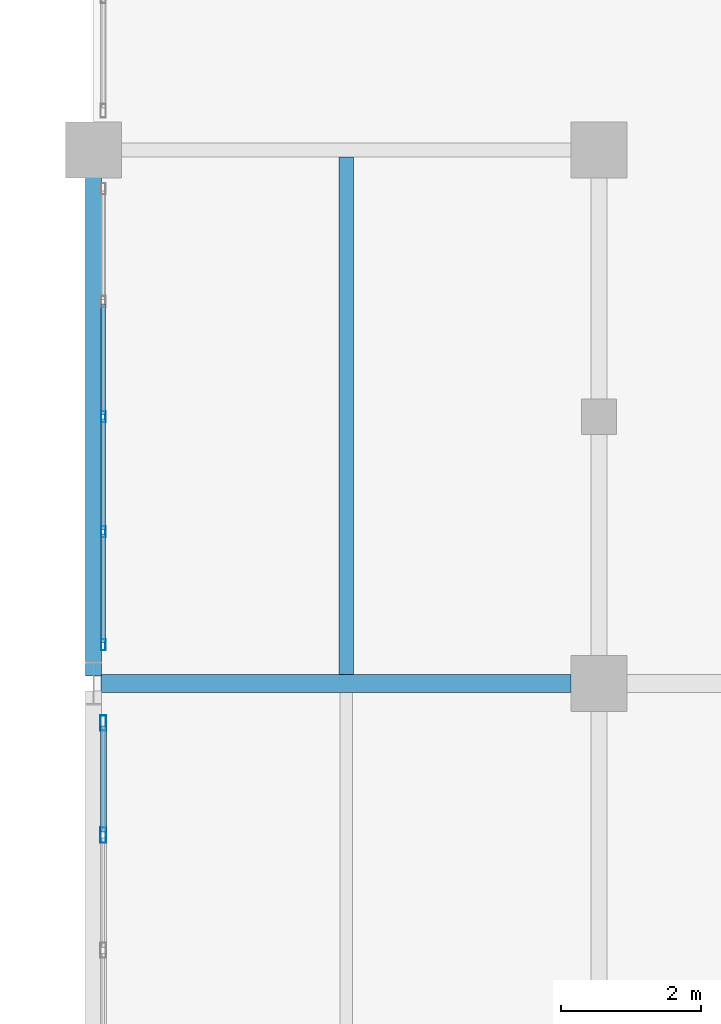
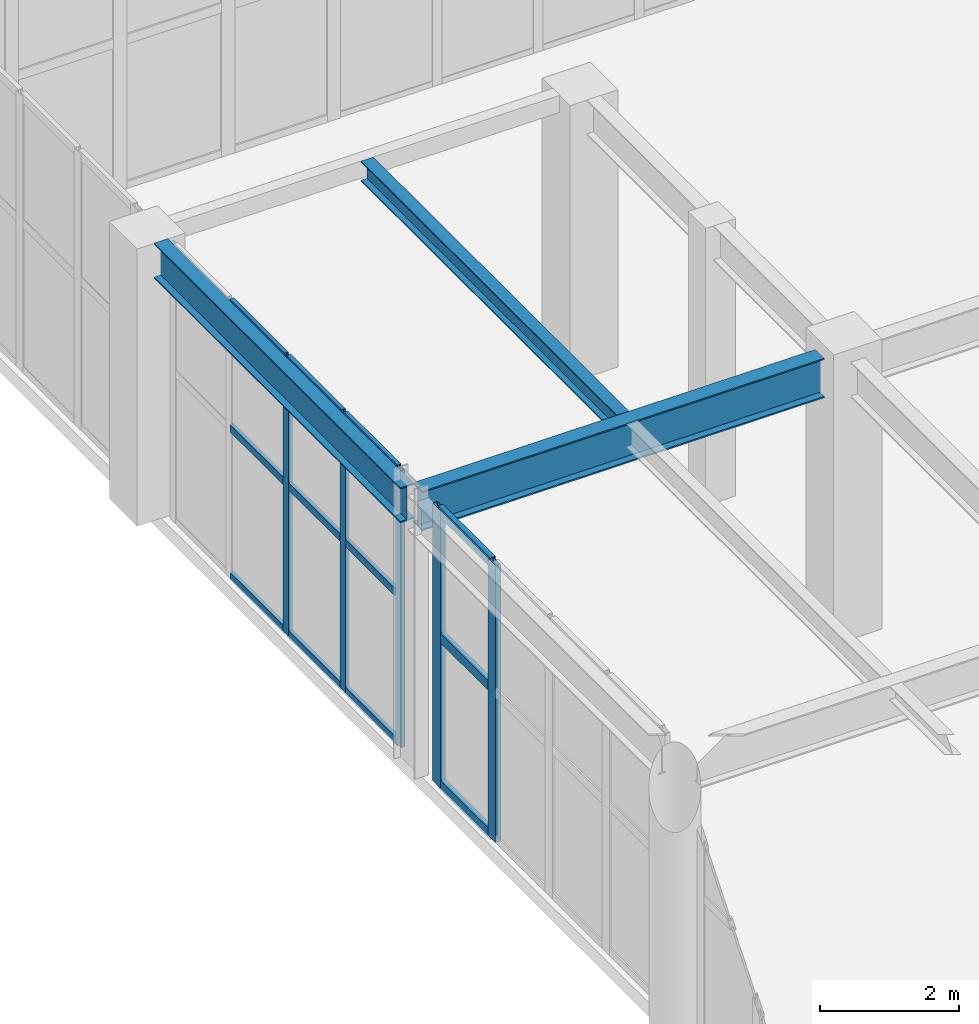
# One storey, part 53 of 128: 17 members, 3 beams, 2 elements without a shape of their own.
"""IFC4 building model written with IfcOpenShell, lengths in metres."""

from ifc_helpers import new_model, si_unit, direction, frame, origin, origin_2d, place, context, subcontext, project, spatial, hollow_rectangle, i_section, extrude, material, layer, layer_set, material_profile, profile_set, type_object, element, aggregate, save


model = new_model("IFC4")

# Units and contexts
model_context = context("Model", 3, precision=1e-05, world=origin(), true_north=direction((0.0, 1.0)))
body_context = subcontext(model_context, "Body", "Model", "MODEL_VIEW")
ifc_project = project(units=[si_unit("LENGTHUNIT", "METRE"), si_unit("AREAUNIT", "SQUARE_METRE"), si_unit("VOLUMEUNIT", "CUBIC_METRE"), si_unit("PLANEANGLEUNIT", "RADIAN"), si_unit("MASSUNIT", "GRAM", prefix="KILO")], contexts=[model_context])

# Site, building, storey
site_placement = place(None, origin())
site = spatial("IfcSite", under=ifc_project, at=site_placement, CompositionType="ELEMENT")
building_placement = place(site_placement, origin())
building = spatial("IfcBuilding", under=site, at=building_placement, Name="Xicomal Pleat Aquarium", CompositionType="ELEMENT")
storey_placement = place(building_placement, frame((0.0, 0.0, 5.39990234375)))
storey = spatial("IfcBuildingStorey", under=building, at=storey_placement, Name="L02", CompositionType="ELEMENT", Elevation=5.39990234375)

# Beams
ifc_material_1 = material(Name="Structural steel A992 Gr 50", Category="steel")
ifc_material_profile_1 = material_profile(ifc_material_1, i_section(OverallWidth=0.205078125, OverallDepth=0.35400390625, WebThickness=0.009521484375, FlangeThickness=0.016845703125, at=origin_2d()), Name="IR 360x79")
ifc_profile_set_1 = profile_set([ifc_material_profile_1], Name="Structural steel A992 Gr 50")
beam_type_1 = type_object("IfcBeamType", Name="BM-STL-IR360", PredefinedType="JOIST", material=ifc_profile_set_1)
beam_1_placement = place(storey_placement, frame((6.60009765625, 83.73095703125, 4.697998046875), z_axis=(0.0, 1.0, 0.0), x_axis=(-1.0, 0.0, 0.0)))
element("IfcBeam", 1, at=beam_1_placement, inside=storey, type_object=beam_type_1, Name="L02 framing beam FBJ-L02-01-M-1", PredefinedType="JOIST", context=body_context, shape_type="SweptSolid", body=[
    extrude(i_section(OverallWidth=0.205078125, OverallDepth=0.35400390625, WebThickness=0.009521484375, FlangeThickness=0.016845703125, at=origin_2d()), origin(), (0.0, 0.0, 1.0), 7.365966796875),
])
ifc_material_2 = material(Name="Structural steel A992 Gr 50", Category="steel")
ifc_material_profile_2 = material_profile(ifc_material_2, i_section(OverallWidth=0.22998046875, OverallDepth=0.616943359375, WebThickness=0.01318359375, FlangeThickness=0.022216796875, at=origin_2d()), Name="IR 610x140")
ifc_profile_set_2 = profile_set([ifc_material_profile_2], Name="Structural steel A992 Gr 50")
beam_type_2 = type_object("IfcBeamType", Name="BM-STL-IR610", PredefinedType="BEAM", material=ifc_profile_set_2)
beam_2_placement = place(storey_placement, frame((3.0, 83.7099609375, 4.566650390625), z_axis=(0.0, 1.0, 0.0), x_axis=(-1.0, 0.0, 0.0)))
element("IfcBeam", 2, at=beam_2_placement, inside=storey, type_object=beam_type_2, Name="L02 framing beam FGY-L02-01-M-N", PredefinedType="BEAM", context=body_context, shape_type="SweptSolid", body=[
    extrude(i_section(OverallWidth=0.22998046875, OverallDepth=0.616943359375, WebThickness=0.01318359375, FlangeThickness=0.022216796875, at=origin_2d()), origin(), (0.0, 0.0, 1.0), 7.094970703125),
])
ifc_material_3 = material(Name="Structural steel A992 Gr 50", Category="steel")
ifc_material_profile_3 = material_profile(ifc_material_3, i_section(OverallWidth=0.256103515625, OverallDepth=0.693115234375, WebThickness=0.014404296875, FlangeThickness=0.023681640625, at=origin_2d()), Name="IR 690x170")
ifc_profile_set_3 = profile_set([ifc_material_profile_3], Name="Structural steel A992 Gr 50")
beam_type_3 = type_object("IfcBeamType", Name="BM-STL-IR690", PredefinedType="BEAM", material=ifc_profile_set_3)
beam_3_placement = place(storey_placement, frame((3.110107421875, 83.60009765625, 4.528564453125), z_axis=(1.0, 0.0, 0.0), x_axis=(0.0, 1.0, 0.0)))
element("IfcBeam", 3, at=beam_3_placement, inside=storey, type_object=beam_type_3, Name="L02 framing beam FGX-L02-01-02-M", PredefinedType="BEAM", context=body_context, shape_type="SweptSolid", body=[
    extrude(i_section(OverallWidth=0.256103515625, OverallDepth=0.693115234375, WebThickness=0.014404296875, FlangeThickness=0.023681640625, at=origin_2d()), origin(), (0.0, 0.0, 1.0), 6.69482421875),
])

# Curtain wall, members
ifc_material_4 = material(Name="Bronze anodized aluminium 6063-T6", Category="aluminium")
ifc_layer_1 = layer(ifc_material_4, 0.159912109375)
ifc_layer_set_1 = layer_set([ifc_layer_1], Name="Bronze anodized aluminium 6063-T6")
curtain_wall_type_1 = type_object("IfcCurtainWallType", Name="CW-SYS-02", PredefinedType="NOTDEFINED", material=ifc_layer_set_1)
curtain_wall_1_placement = place(storey_placement, origin())
curtain_wall_1 = element("IfcCurtainWall", 4, at=curtain_wall_1_placement, inside=storey, type_object=curtain_wall_type_1, Name="L02 unitised curtain wall CW-L02-126", PredefinedType="NOTDEFINED")
ifc_material_5 = material(Name="Bronze anodized aluminium 6063-T6", Category="aluminium")
ifc_material_profile_4 = material_profile(ifc_material_5, hollow_rectangle(XDim=0.06494140625, YDim=0.159912109375, WallThickness=0.00390625, at=origin_2d()), Name="ALU MULL 65x160")
ifc_profile_set_4 = profile_set([ifc_material_profile_4], Name="Bronze anodized aluminium 6063-T6")
member_type_1 = type_object("IfcMemberType", Name="CWM-65x160", PredefinedType="MULLION", material=ifc_profile_set_4)
member_1_placement = place(storey_placement, frame((3.139892578125, 84.152587890625, 0.0), z_axis=(0.0, 0.0, 1.0), x_axis=(-1.0, 0.0, 0.0)))
member_1 = element("IfcMember", 5, at=member_1_placement, type_object=member_type_1, Name="CW-02 mullion 1", PredefinedType="MULLION", context=body_context, shape_type="SweptSolid", body=[
    extrude(hollow_rectangle(XDim=0.06494140625, YDim=0.159912109375, WallThickness=0.00390625, at=origin_2d()), origin(), (0.0, 0.0, 1.0), 4.875),
])
member_2_placement = place(storey_placement, frame((3.139892578125, 85.760009765625, 0.0), z_axis=(0.0, 0.0, 1.0), x_axis=(-1.0, 0.0, 0.0)))
member_2 = element("IfcMember", 6, at=member_2_placement, type_object=member_type_1, Name="CW-02 mullion 2", PredefinedType="MULLION", context=body_context, shape_type="SweptSolid", body=[
    extrude(hollow_rectangle(XDim=0.06494140625, YDim=0.159912109375, WallThickness=0.00390625, at=origin_2d()), origin(), (0.0, 0.0, 1.0), 4.875),
])
member_3_placement = place(storey_placement, frame((3.139892578125, 87.39990234375, 0.0), z_axis=(0.0, 0.0, 1.0), x_axis=(-1.0, 0.0, 0.0)))
member_3 = element("IfcMember", 7, at=member_3_placement, type_object=member_type_1, Name="CW-02 mullion 3", PredefinedType="MULLION", context=body_context, shape_type="SweptSolid", body=[
    extrude(hollow_rectangle(XDim=0.06494140625, YDim=0.159912109375, WallThickness=0.00390625, at=origin_2d()), origin(), (0.0, 0.0, 1.0), 4.875),
])

ifc_material_6 = material(Name="Bronze anodized aluminium 6063-T6", Category="aluminium")
ifc_layer_2 = layer(ifc_material_6, 0.159912109375)
ifc_layer_set_2 = layer_set([ifc_layer_2], Name="Bronze anodized aluminium 6063-T6")
curtain_wall_type_2 = type_object("IfcCurtainWallType", Name="CW-SYS-12", PredefinedType="NOTDEFINED", material=ifc_layer_set_2)
curtain_wall_2_placement = place(storey_placement, origin())
curtain_wall_2 = element("IfcCurtainWall", 8, at=curtain_wall_2_placement, inside=storey, type_object=curtain_wall_type_2, Name="L02 unitised curtain wall CW-L02-125", PredefinedType="NOTDEFINED")
ifc_material_7 = material(Name="Bronze anodized aluminium 6063-T6", Category="aluminium")
ifc_material_profile_5 = material_profile(ifc_material_7, hollow_rectangle(XDim=0.0849609375, YDim=0.219970703125, WallThickness=0.0048828125, at=origin_2d()), Name="ALU MULL 85x220")
ifc_profile_set_5 = profile_set([ifc_material_profile_5], Name="Bronze anodized aluminium 6063-T6")
member_type_2 = type_object("IfcMemberType", Name="CWM-85x220", PredefinedType="MULLION", material=ifc_profile_set_5)
member_4_placement = place(storey_placement, frame((3.139892578125, 81.43994140625, 0.0), z_axis=(0.0, 0.0, 1.0), x_axis=(-1.0, 0.0, 0.0)))
member_4 = element("IfcMember", 9, at=member_4_placement, type_object=member_type_2, Name="CW-12 mullion 4", PredefinedType="MULLION", context=body_context, shape_type="SweptSolid", body=[
    extrude(hollow_rectangle(XDim=0.0849609375, YDim=0.219970703125, WallThickness=0.0048828125, at=origin_2d()), origin(), (0.0, 0.0, 1.0), 4.875),
])
member_5_placement = place(storey_placement, frame((3.139892578125, 83.03759765625, 0.0), z_axis=(0.0, 0.0, 1.0), x_axis=(-1.0, 0.0, 0.0)))
member_5 = element("IfcMember", 10, at=member_5_placement, type_object=member_type_2, Name="CW-12 mullion 5", PredefinedType="MULLION", context=body_context, shape_type="SweptSolid", body=[
    extrude(hollow_rectangle(XDim=0.0849609375, YDim=0.219970703125, WallThickness=0.0048828125, at=origin_2d()), origin(), (0.0, 0.0, 1.0), 4.875),
])

# Member
ifc_material_8 = material(Name="Bronze anodized aluminium 6063-T6", Category="aluminium")
ifc_material_profile_6 = material_profile(ifc_material_8, hollow_rectangle(XDim=0.06494140625, YDim=0.1298828125, WallThickness=0.00390625, at=origin_2d()), Name="ALU TRAN 65x130")
ifc_profile_set_6 = profile_set([ifc_material_profile_6], Name="Bronze anodized aluminium 6063-T6")
member_type_3 = type_object("IfcMemberType", Name="CWT-65x130", PredefinedType="USERDEFINED", material=ifc_profile_set_6)
member_6_placement = place(storey_placement, frame((3.139892578125, 84.18505859375, 0.03271484375), z_axis=(0.0, 1.0, 0.0), x_axis=(-1.0, 0.0, 0.0)))
member_6 = element("IfcMember", 11, at=member_6_placement, type_object=member_type_3, Name="CW-02 transom 1.1", ObjectType="TRANSOM", PredefinedType="USERDEFINED", context=body_context, shape_type="SweptSolid", body=[
    extrude(hollow_rectangle(XDim=0.06494140625, YDim=0.1298828125, WallThickness=0.00390625, at=origin_2d()), origin(), (0.0, 0.0, 1.0), 1.54248046875),
])

member_7_placement = place(storey_placement, frame((3.139892578125, 84.18505859375, 2.633056640625), z_axis=(0.0, 1.0, 0.0), x_axis=(-1.0, 0.0, 0.0)))
member_7 = element("IfcMember", 12, at=member_7_placement, type_object=member_type_3, Name="CW-02 transom 1.2", ObjectType="TRANSOM", PredefinedType="USERDEFINED", context=body_context, shape_type="SweptSolid", body=[
    extrude(hollow_rectangle(XDim=0.06494140625, YDim=0.1298828125, WallThickness=0.00390625, at=origin_2d()), origin(), (0.0, 0.0, 1.0), 1.54248046875),
])

member_8_placement = place(storey_placement, frame((3.139892578125, 84.18505859375, 4.842529296875), z_axis=(0.0, 1.0, 0.0), x_axis=(-1.0, 0.0, 0.0)))
member_8 = element("IfcMember", 13, at=member_8_placement, type_object=member_type_3, Name="CW-02 transom 1.3", ObjectType="TRANSOM", PredefinedType="USERDEFINED", context=body_context, shape_type="SweptSolid", body=[
    extrude(hollow_rectangle(XDim=0.06494140625, YDim=0.1298828125, WallThickness=0.00390625, at=origin_2d()), origin(), (0.0, 0.0, 1.0), 1.54248046875),
])

member_9_placement = place(storey_placement, frame((3.139892578125, 85.79248046875, 0.03271484375), z_axis=(0.0, 1.0, 0.0), x_axis=(-1.0, 0.0, 0.0)))
member_9 = element("IfcMember", 14, at=member_9_placement, type_object=member_type_3, Name="CW-02 transom 2.1", ObjectType="TRANSOM", PredefinedType="USERDEFINED", context=body_context, shape_type="SweptSolid", body=[
    extrude(hollow_rectangle(XDim=0.06494140625, YDim=0.1298828125, WallThickness=0.00390625, at=origin_2d()), origin(), (0.0, 0.0, 1.0), 1.574951171875),
])

member_10_placement = place(storey_placement, frame((3.139892578125, 85.79248046875, 2.633056640625), z_axis=(0.0, 1.0, 0.0), x_axis=(-1.0, 0.0, 0.0)))
member_10 = element("IfcMember", 15, at=member_10_placement, type_object=member_type_3, Name="CW-02 transom 2.2", ObjectType="TRANSOM", PredefinedType="USERDEFINED", context=body_context, shape_type="SweptSolid", body=[
    extrude(hollow_rectangle(XDim=0.06494140625, YDim=0.1298828125, WallThickness=0.00390625, at=origin_2d()), origin(), (0.0, 0.0, 1.0), 1.574951171875),
])

member_11_placement = place(storey_placement, frame((3.139892578125, 85.79248046875, 4.842529296875), z_axis=(0.0, 1.0, 0.0), x_axis=(-1.0, 0.0, 0.0)))
member_11 = element("IfcMember", 16, at=member_11_placement, type_object=member_type_3, Name="CW-02 transom 2.3", ObjectType="TRANSOM", PredefinedType="USERDEFINED", context=body_context, shape_type="SweptSolid", body=[
    extrude(hollow_rectangle(XDim=0.06494140625, YDim=0.1298828125, WallThickness=0.00390625, at=origin_2d()), origin(), (0.0, 0.0, 1.0), 1.574951171875),
])

member_12_placement = place(storey_placement, frame((3.139892578125, 87.4326171875, 0.03271484375), z_axis=(0.0, 1.0, 0.0), x_axis=(-1.0, 0.0, 0.0)))
member_12 = element("IfcMember", 17, at=member_12_placement, type_object=member_type_3, Name="CW-02 transom 3.1", ObjectType="TRANSOM", PredefinedType="USERDEFINED", context=body_context, shape_type="SweptSolid", body=[
    extrude(hollow_rectangle(XDim=0.06494140625, YDim=0.1298828125, WallThickness=0.00390625, at=origin_2d()), origin(), (0.0, 0.0, 1.0), 1.574951171875),
])

member_13_placement = place(storey_placement, frame((3.139892578125, 87.4326171875, 2.633056640625), z_axis=(0.0, 1.0, 0.0), x_axis=(-1.0, 0.0, 0.0)))
member_13 = element("IfcMember", 18, at=member_13_placement, type_object=member_type_3, Name="CW-02 transom 3.2", ObjectType="TRANSOM", PredefinedType="USERDEFINED", context=body_context, shape_type="SweptSolid", body=[
    extrude(hollow_rectangle(XDim=0.06494140625, YDim=0.1298828125, WallThickness=0.00390625, at=origin_2d()), origin(), (0.0, 0.0, 1.0), 1.574951171875),
])

member_14_placement = place(storey_placement, frame((3.139892578125, 87.4326171875, 4.842529296875), z_axis=(0.0, 1.0, 0.0), x_axis=(-1.0, 0.0, 0.0)))
member_14 = element("IfcMember", 19, at=member_14_placement, type_object=member_type_3, Name="CW-02 transom 3.3", ObjectType="TRANSOM", PredefinedType="USERDEFINED", context=body_context, shape_type="SweptSolid", body=[
    extrude(hollow_rectangle(XDim=0.06494140625, YDim=0.1298828125, WallThickness=0.00390625, at=origin_2d()), origin(), (0.0, 0.0, 1.0), 1.574951171875),
])

aggregate(curtain_wall_1, [member_1, member_2, member_3, member_6, member_7, member_8, member_9, member_10, member_11, member_12, member_13, member_14])

ifc_material_9 = material(Name="Bronze anodized aluminium 6063-T6", Category="aluminium")
ifc_material_profile_7 = material_profile(ifc_material_9, hollow_rectangle(XDim=0.0849609375, YDim=0.169921875, WallThickness=0.0048828125, at=origin_2d()), Name="ALU TRAN 85x170")
ifc_profile_set_7 = profile_set([ifc_material_profile_7], Name="Bronze anodized aluminium 6063-T6")
member_type_4 = type_object("IfcMemberType", Name="CWT-85x170", PredefinedType="USERDEFINED", material=ifc_profile_set_7)
member_15_placement = place(storey_placement, frame((3.139892578125, 81.482421875, 0.04248046875), z_axis=(0.0, 1.0, 0.0), x_axis=(-1.0, 0.0, 0.0)))
member_15 = element("IfcMember", 20, at=member_15_placement, type_object=member_type_4, Name="CW-12 transom 4.1", ObjectType="TRANSOM", PredefinedType="USERDEFINED", context=body_context, shape_type="SweptSolid", body=[
    extrude(hollow_rectangle(XDim=0.0849609375, YDim=0.169921875, WallThickness=0.0048828125, at=origin_2d()), origin(), (0.0, 0.0, 1.0), 1.5126953125),
])

member_16_placement = place(storey_placement, frame((3.139892578125, 81.482421875, 2.633056640625), z_axis=(0.0, 1.0, 0.0), x_axis=(-1.0, 0.0, 0.0)))
member_16 = element("IfcMember", 21, at=member_16_placement, type_object=member_type_4, Name="CW-12 transom 4.2", ObjectType="TRANSOM", PredefinedType="USERDEFINED", context=body_context, shape_type="SweptSolid", body=[
    extrude(hollow_rectangle(XDim=0.0849609375, YDim=0.169921875, WallThickness=0.0048828125, at=origin_2d()), origin(), (0.0, 0.0, 1.0), 1.5126953125),
])

member_17_placement = place(storey_placement, frame((3.139892578125, 81.482421875, 4.83251953125), z_axis=(0.0, 1.0, 0.0), x_axis=(-1.0, 0.0, 0.0)))
member_17 = element("IfcMember", 22, at=member_17_placement, type_object=member_type_4, Name="CW-12 transom 4.3", ObjectType="TRANSOM", PredefinedType="USERDEFINED", context=body_context, shape_type="SweptSolid", body=[
    extrude(hollow_rectangle(XDim=0.0849609375, YDim=0.169921875, WallThickness=0.0048828125, at=origin_2d()), origin(), (0.0, 0.0, 1.0), 1.5126953125),
])

aggregate(curtain_wall_2, [member_4, member_5, member_15, member_16, member_17])

save(model, "model.ifc")
